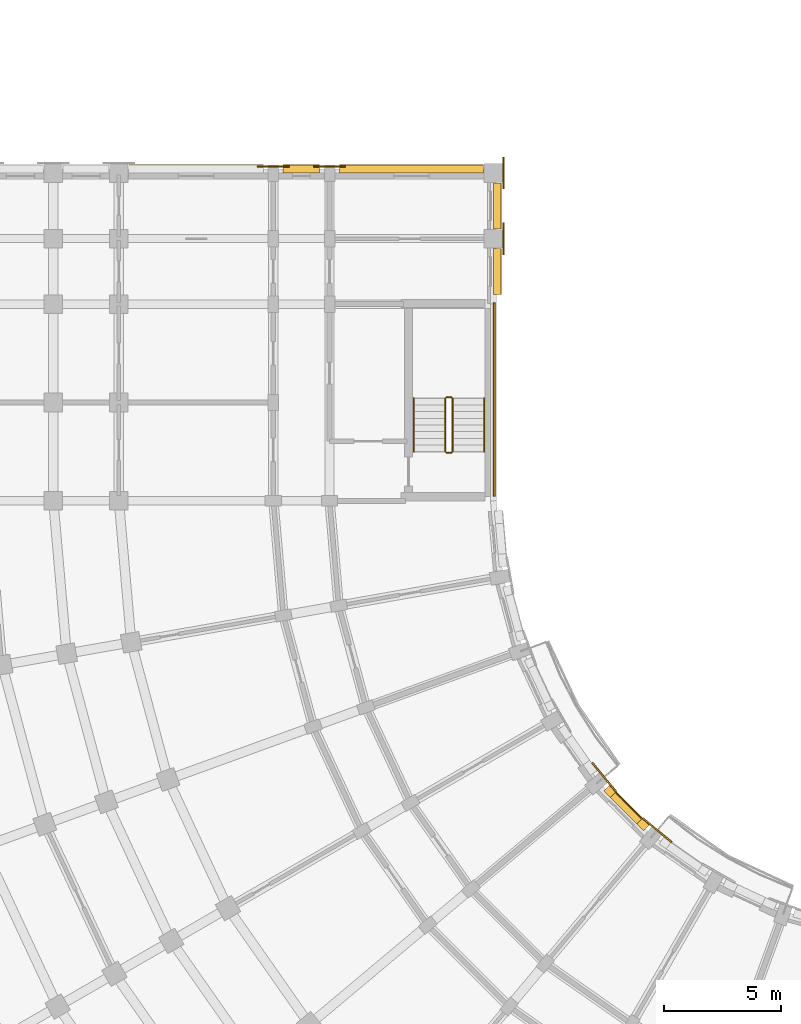
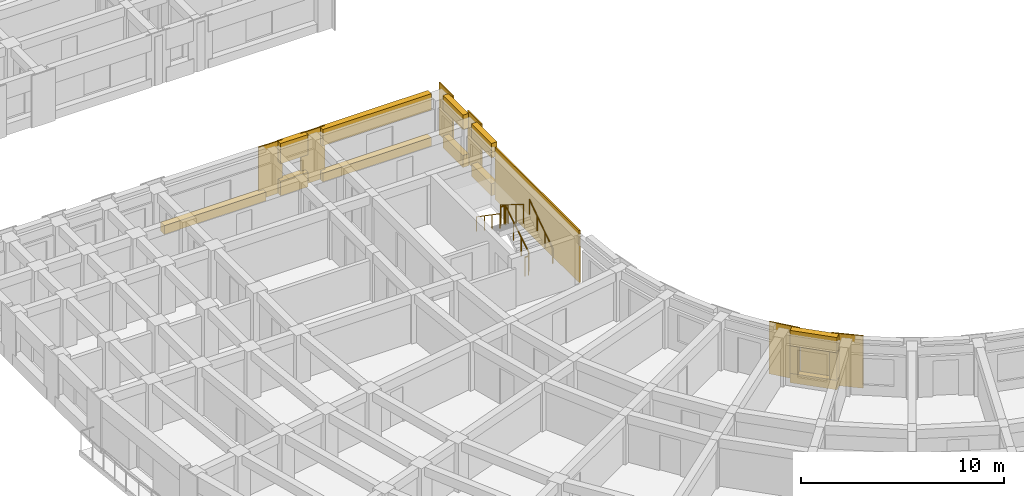
# One storey, part 42 of 54: 20 coverings, 6 railings, 1 shading device.
"""IFC4 building model written with IfcOpenShell, lengths in metres."""

import ifcopenshell
import ifcopenshell.guid

model = None  # the IFC model being written
_history = None  # IfcOwnerHistory: only IFC2X3 demands one
_inside = {}  # id of a spatial element -> (the spatial element, [elements in it])
_under = {}  # id of a project, library or spatial element -> (it, [spatial elements below it])
_declared = {}  # id of a project -> (the project, [libraries it declares])
_typed = {}  # id of a type object -> (the type object, [elements of that type])
_made_of = {}  # id of a material, layer set ... -> (it, [elements and type objects made of it])


def new_model(schema):
    """Start an empty IFC model of exactly this schema.

    Asked for "IFC4X3", IfcOpenShell would pick the latest addendum, in which some entities
    have other attributes; the version numbers below select the first issue.
    IFC2X3 requires an IfcOwnerHistory on every rooted entity: one is made here for all.
    """
    global model, _history
    if schema == "IFC4X3":
        model = ifcopenshell.file(schema_version=(4, 3, 0, 0))
    else:
        model = ifcopenshell.file(schema=schema)
    _inside.clear()
    _under.clear()
    _declared.clear()
    _typed.clear()
    _made_of.clear()
    _history = None
    if model.schema == "IFC2X3":
        org = make("IfcOrganization", Name="unknown")
        user = make(
            "IfcPersonAndOrganization",
            ThePerson=make("IfcPerson", FamilyName="unknown"),
            TheOrganization=org,
        )
        app = make(
            "IfcApplication",
            ApplicationDeveloper=org,
            Version="unknown",
            ApplicationFullName="unknown",
            ApplicationIdentifier="unknown",
        )
        _history = make(
            "IfcOwnerHistory",
            OwningUser=user,
            OwningApplication=app,
            ChangeAction="ADDED",
            CreationDate=0,
        )
    return model


def make(cls, **values):
    """One entity of the class cls with the attributes given. An attribute that is None is left unset."""
    return model.create_entity(
        cls, **{name: value for name, value in values.items() if value is not None}
    )


def rooted(cls, **values):
    """An entity with a GlobalId (a new one), such as an element, a storey or a relation."""
    return make(cls, GlobalId=ifcopenshell.guid.new(), OwnerHistory=_history, **values)


def si_unit(unit_type, name, prefix=None):
    """IfcSIUnit, for example si_unit("LENGTHUNIT", "METRE", prefix="MILLI")."""
    return make("IfcSIUnit", UnitType=unit_type, Prefix=prefix, Name=name)


def assignment(units):
    """IfcUnitAssignment: the units of a project."""
    return None if units is None else make("IfcUnitAssignment", Units=units)


def point(xyz):
    """IfcCartesianPoint."""
    return None if xyz is None else make("IfcCartesianPoint", Coordinates=xyz)


def direction(xyz):
    """IfcDirection."""
    return None if xyz is None else make("IfcDirection", DirectionRatios=xyz)


def frame(location, z_axis=None, x_axis=None):
    """IfcAxis2Placement3D, a coordinate frame: its origin and axes. An axis left out is left unset."""
    return make(
        "IfcAxis2Placement3D",
        Location=point(location),
        Axis=direction(z_axis),
        RefDirection=direction(x_axis),
    )


def frame_2d(location, x_axis=None):
    """IfcAxis2Placement2D, a coordinate frame in the plane: its origin and x axis."""
    return make(
        "IfcAxis2Placement2D", Location=point(location), RefDirection=direction(x_axis)
    )


def origin():
    """The frame at (0, 0, 0) with its axes left unset."""
    return frame((0.0, 0.0, 0.0))


def origin_2d():
    """The frame at (0, 0) in the plane with its x axis left unset."""
    return frame_2d((0.0, 0.0))


def place(relative_to, where):
    """IfcLocalPlacement: puts the frame where relative to a parent placement (None: the world)."""
    return make(
        "IfcLocalPlacement", PlacementRelTo=relative_to, RelativePlacement=where
    )


def context(
    kind, dimensions, precision=None, world=None, true_north=None, identifier=None
):
    """IfcGeometricRepresentationContext, for example the 3D "Model" context."""
    return make(
        "IfcGeometricRepresentationContext",
        ContextIdentifier=identifier,
        ContextType=kind,
        CoordinateSpaceDimension=dimensions,
        Precision=precision,
        WorldCoordinateSystem=world,
        TrueNorth=true_north,
    )


def subcontext(parent, identifier, kind, view, scale=None):
    """IfcGeometricRepresentationSubContext, for example "Body" below "Model"."""
    return make(
        "IfcGeometricRepresentationSubContext",
        ContextIdentifier=identifier,
        ContextType=kind,
        ParentContext=parent,
        TargetScale=scale,
        TargetView=view,
    )


def project(units=None, contexts=None):
    """IfcProject with its units and contexts."""
    return rooted(
        "IfcProject",
        Name="project",
        RepresentationContexts=contexts,
        UnitsInContext=assignment(units),
    )


def spatial(cls, under=None, at=None, **own):
    """A site, building, storey or space (cls), placed at a placement, below another one or the project."""
    s = rooted(cls, ObjectPlacement=at, **own)
    if under is not None:
        _under.setdefault(under.id(), (under, []))[1].append(s)
    return s


def polyline(points):
    """IfcPolyline through the points."""
    return make("IfcPolyline", Points=[point(p) for p in points])


def profile(cls, at=None, kind="AREA", **sizes):
    """A parametric profile (cls). Its sizes go by their IFC names, for example OverallWidth=200.0."""
    return make(cls, ProfileType=kind, Position=at, **sizes)


def rectangle(**sizes):
    """IfcRectangleProfileDef."""
    return profile("IfcRectangleProfileDef", **sizes)


def circle(**sizes):
    """IfcCircleProfileDef."""
    return profile("IfcCircleProfileDef", **sizes)


def outline(outer, holes=None, kind="AREA"):
    """IfcArbitraryClosedProfileDef: a profile drawn as a closed curve; with holes, ...WithVoids."""
    if holes is None:
        return make("IfcArbitraryClosedProfileDef", ProfileType=kind, OuterCurve=outer)
    return make(
        "IfcArbitraryProfileDefWithVoids",
        ProfileType=kind,
        OuterCurve=outer,
        InnerCurves=holes,
    )


def extrude(swept, where, along, depth):
    """IfcExtrudedAreaSolid: the profile swept, set in the frame where, extruded along a direction by depth."""
    return make(
        "IfcExtrudedAreaSolid",
        SweptArea=swept,
        Position=where,
        ExtrudedDirection=direction(along),
        Depth=depth,
    )


def shape(context_of_items, identifier, shape_type, items):
    """IfcShapeRepresentation: the items that make up one representation, for example the "Body"."""
    return make(
        "IfcShapeRepresentation",
        ContextOfItems=context_of_items,
        RepresentationIdentifier=identifier,
        RepresentationType=shape_type,
        Items=items,
    )


def material(Name=None, Category=None):
    """IfcMaterial."""
    return make("IfcMaterial", Name=Name, Category=Category)


def layer(
    of_material, thickness, ventilated=None, Name=None, Category=None, Priority=None
):
    """IfcMaterialLayer: one layer of a wall or slab, of a material (None: an air gap)."""
    return make(
        "IfcMaterialLayer",
        Material=of_material,
        LayerThickness=thickness,
        IsVentilated=ventilated,
        Name=Name,
        Category=Category,
        Priority=Priority,
    )


def layer_set(layers, Name=None):
    """IfcMaterialLayerSet."""
    return make("IfcMaterialLayerSet", MaterialLayers=layers, LayerSetName=Name)


def made_of(thing, what):
    """Note that an element or type object is made of a material, layer set ...; save() writes the relation."""
    if what is not None:
        _made_of.setdefault(what.id(), (what, []))[1].append(thing)
    return thing


def type_object(cls, material=None, **own):
    """A type object (cls), such as IfcWallType, which elements share."""
    return made_of(rooted(cls, **own), material)


def element(
    cls,
    number,
    at=None,
    inside=None,
    cuts=None,
    type_object=None,
    material=None,
    context=None,
    identifier="Body",
    shape_type=None,
    held_by="IfcProductDefinitionShape",
    body=None,
    shapes=None,
    **own,
):
    """One element of the class cls, such as IfcWall. Its Tag is "e" and its number.

    at: its placement. inside: the storey or other place that contains it. cuts: it is an
    opening in that element (IfcRelVoidsElement). A single representation is given by context,
    identifier, shape_type and body (its items); several are given by shapes. held_by: the class
    of the entity that holds the representations. save() writes the other relations.
    """
    e = rooted(cls, Tag="e%d" % number, ObjectPlacement=at, **own)
    if body is not None:
        shapes = [shape(context, identifier, shape_type, body)]
    if shapes is not None:
        e.Representation = make(held_by, Representations=shapes)
    if inside is not None:
        _inside.setdefault(inside.id(), (inside, []))[1].append(e)
    if cuts is not None:
        rooted(
            "IfcRelVoidsElement", RelatingBuildingElement=cuts, RelatedOpeningElement=e
        )
    if type_object is not None:
        _typed.setdefault(type_object.id(), (type_object, []))[1].append(e)
    return made_of(e, material)


def aggregate(whole, parts):
    """IfcRelAggregates: a whole, such as a stair, and the parts it consists of."""
    return rooted("IfcRelAggregates", RelatingObject=whole, RelatedObjects=parts)


def save(model, path):
    """Write the relations noted so far, then the file.

    IfcRelAggregates (storeys below a building ...), IfcRelContainedInSpatialStructure (elements
    in a storey), IfcRelDefinesByType, IfcRelAssociatesMaterial and IfcRelDeclares: one each for
    every whole, place, type object, material and project.
    """
    for whole, parts in _under.values():
        aggregate(whole, parts)
    for where, things in _inside.values():
        rooted(
            "IfcRelContainedInSpatialStructure",
            RelatedElements=things,
            RelatingStructure=where,
        )
    for kind, things in _typed.values():
        rooted("IfcRelDefinesByType", RelatedObjects=things, RelatingType=kind)
    for what, things in _made_of.values():
        rooted("IfcRelAssociatesMaterial", RelatedObjects=things, RelatingMaterial=what)
    for by, libraries in _declared.values():
        rooted("IfcRelDeclares", RelatingContext=by, RelatedDefinitions=libraries)
    model.write(path)


model = new_model("IFC4")

# Units and contexts
model_context = context("Model", 3, precision=1e-05, world=origin(), true_north=direction((0.0, 1.0)))
body_context = subcontext(model_context, "Body", "Model", "MODEL_VIEW")
ifc_project = project(units=[si_unit("LENGTHUNIT", "METRE"), si_unit("AREAUNIT", "SQUARE_METRE"), si_unit("VOLUMEUNIT", "CUBIC_METRE"), si_unit("PLANEANGLEUNIT", "RADIAN"), si_unit("MASSUNIT", "GRAM", prefix="KILO")], contexts=[model_context])

# Site, building, storey
site_placement = place(None, origin())
site = spatial("IfcSite", under=ifc_project, at=site_placement, CompositionType="ELEMENT")
building_placement = place(site_placement, origin())
building = spatial("IfcBuilding", under=site, at=building_placement, Name="Kiranvali Square Residences", CompositionType="ELEMENT")
storey_placement = place(building_placement, frame((0.0, 0.0, 11.85009765625)))
storey = spatial("IfcBuildingStorey", under=building, at=storey_placement, Name="L03", CompositionType="ELEMENT", Elevation=11.85009765625)

# Coverings
ifc_material_1 = material(Name="Honed Porbandar limestone ashlar facade cladding", Category="masonry")
ifc_layer_1 = layer(ifc_material_1, 0.3798828125)
ifc_layer_set_1 = layer_set([ifc_layer_1], Name="Honed Porbandar limestone ashlar facade cladding")
covering_type_1 = type_object("IfcCoveringType", Name="COV-CLAD-JAMB", PredefinedType="CLADDING", material=ifc_layer_set_1)
covering_1_placement = place(storey_placement, frame((0.0, 0.0, 0.572021484375)))
element("IfcCovering", 1, at=covering_1_placement, inside=storey, type_object=covering_type_1, Name="L03 deep limestone window jamb reveal C-L03-GDN-04.L", PredefinedType="CLADDING", context=body_context, shape_type="SweptSolid", body=[
    extrude(outline(polyline([(36.044921875, 34.349853515625), (35.76318359375, 34.631591796875), (35.52294921875, 34.3916015625), (35.804931640625, 34.10986328125), (36.044921875, 34.349853515625)])), origin(), (0.0, 0.0, 1.0), 1.64990234375),
])
covering_2_placement = place(storey_placement, frame((0.0, 0.0, 0.572021484375)))
element("IfcCovering", 2, at=covering_2_placement, inside=storey, type_object=covering_type_1, Name="L03 deep limestone window jamb reveal C-L03-GDN-04.R", PredefinedType="CLADDING", context=body_context, shape_type="SweptSolid", body=[
    extrude(outline(polyline([(34.631591796875, 35.76318359375), (34.349853515625, 36.044921875), (34.10986328125, 35.804931640625), (34.3916015625, 35.52294921875), (34.631591796875, 35.76318359375)])), origin(), (0.0, 0.0, 1.0), 1.64990234375),
])
ifc_layer_2 = layer(ifc_material_1, 0.06494140625)
ifc_layer_set_2 = layer_set([ifc_layer_2], Name="Honed Porbandar limestone ashlar facade cladding")
covering_type_2 = type_object("IfcCoveringType", Name="COV-CLAD-PIER", PredefinedType="CLADDING", material=ifc_layer_set_2)
covering_3_placement = place(storey_placement, frame((0.0, 0.0, 0.0048828125)))
element("IfcCovering", 3, at=covering_3_placement, inside=storey, type_object=covering_type_2, Name="Block C L03 Arm 2 stair limestone ashlar cladding", PredefinedType="CLADDING", context=body_context, shape_type="SweptSolid", body=[
    extrude(outline(polyline([(29.47998046875, 48.39990234375), (29.47998046875, 56.64990234375), (29.402099609375, 56.64990234375), (29.402099609375, 48.39990234375), (29.47998046875, 48.39990234375)])), origin(), (0.0, 0.0, 1.0), 3.14013671875),
])
ifc_layer_3 = layer(ifc_material_1, 0.050048828125)
ifc_layer_set_3 = layer_set([ifc_layer_3], Name="Honed Porbandar limestone ashlar facade cladding")
covering_type_3 = type_object("IfcCoveringType", Name="COV-CLAD-PIER-IN", PredefinedType="CLADDING", material=ifc_layer_set_3)
covering_4_placement = place(storey_placement, frame((0.0, 0.0, 0.0048828125)))
element("IfcCovering", 4, at=covering_4_placement, inside=storey, type_object=covering_type_3, Name="L03 Classical garden courtyard pilaster CLAD-PRIN-C-L03-A04", PredefinedType="CLADDING", context=body_context, shape_type="SweptSolid", body=[
    extrude(outline(polyline([(37.029296875, 33.642578125), (35.803466796875, 34.671142578125), (35.76025390625, 34.619384765625), (36.98583984375, 33.5908203125), (37.029296875, 33.642578125)])), origin(), (0.0, 0.0, 1.0), 3.14013671875),
])
covering_5_placement = place(storey_placement, frame((0.0, 0.0, 0.0048828125)))
element("IfcCovering", 5, at=covering_5_placement, inside=storey, type_object=covering_type_3, Name="L03 Classical garden courtyard pilaster CLAD-PRIN-C-L03-A05", PredefinedType="CLADDING", context=body_context, shape_type="SweptSolid", body=[
    extrude(outline(polyline([(34.671142578125, 35.803466796875), (33.642578125, 37.029296875), (33.5908203125, 36.98583984375), (34.619384765625, 35.76025390625), (34.671142578125, 35.803466796875)])), origin(), (0.0, 0.0, 1.0), 3.14013671875),
])
covering_6_placement = place(storey_placement, frame((0.0, 0.0, 0.0048828125)))
element("IfcCovering", 6, at=covering_6_placement, inside=storey, type_object=covering_type_3, Name="L03 Classical limestone pilaster casing CLAD-PRA2I-C-L03-V112", PredefinedType="CLADDING", context=body_context, shape_type="SweptSolid", body=[
    extrude(outline(polyline([(29.867919921875, 58.719970703125), (29.867919921875, 60.080078125), (29.800537109375, 60.080078125), (29.800537109375, 58.719970703125), (29.867919921875, 58.719970703125)])), origin(), (0.0, 0.0, 1.0), 3.14013671875),
])
covering_7_placement = place(storey_placement, frame((0.0, 0.0, 0.0048828125)))
element("IfcCovering", 7, at=covering_7_placement, inside=storey, type_object=covering_type_3, Name="L03 Classical limestone pilaster casing CLAD-PRA2I-C-L03-V140", PredefinedType="CLADDING", context=body_context, shape_type="SweptSolid", body=[
    extrude(outline(polyline([(29.867919921875, 61.52001953125), (29.867919921875, 62.8798828125), (29.800537109375, 62.8798828125), (29.800537109375, 61.52001953125), (29.867919921875, 61.52001953125)])), origin(), (0.0, 0.0, 1.0), 3.14013671875),
])
ifc_layer_4 = layer(ifc_material_1, 0.054931640625)
ifc_layer_set_4 = layer_set([ifc_layer_4], Name="Honed Porbandar limestone ashlar facade cladding")
covering_type_4 = type_object("IfcCoveringType", Name="COV-CLAD-PIER-UP", PredefinedType="CLADDING", material=ifc_layer_set_4)
covering_8_placement = place(storey_placement, frame((0.0, 0.0, 0.0048828125)))
element("IfcCovering", 8, at=covering_8_placement, inside=storey, type_object=covering_type_4, Name="L03 Classical limestone pilaster casing CLAD-PRA2E-C-L03-R258", PredefinedType="CLADDING", context=body_context, shape_type="SweptSolid", body=[
    extrude(outline(polyline([(23.080078125, 62.51806640625), (21.719970703125, 62.51806640625), (21.719970703125, 62.450439453125), (23.080078125, 62.450439453125), (23.080078125, 62.51806640625)])), origin(), (0.0, 0.0, 1.0), 3.14013671875),
])
covering_9_placement = place(storey_placement, frame((0.0, 0.0, 0.0048828125)))
element("IfcCovering", 9, at=covering_9_placement, inside=storey, type_object=covering_type_4, Name="L03 Classical limestone pilaster casing CLAD-PRA2E-C-L03-R282", PredefinedType="CLADDING", context=body_context, shape_type="SweptSolid", body=[
    extrude(outline(polyline([(20.679931640625, 62.51806640625), (19.320068359375, 62.51806640625), (19.320068359375, 62.450439453125), (20.679931640625, 62.450439453125), (20.679931640625, 62.51806640625)])), origin(), (0.0, 0.0, 1.0), 3.14013671875),
])
ifc_layer_5 = layer(ifc_material_1, 0.360107421875)
ifc_layer_set_5 = layer_set([ifc_layer_5], Name="Honed Porbandar limestone ashlar facade cladding")
covering_type_5 = type_object("IfcCoveringType", Name="COV-CLAD-WALL", PredefinedType="CLADDING", material=ifc_layer_set_5)
covering_10_placement = place(storey_placement, frame((0.0, 0.0, 2.221923828125)))
element("IfcCovering", 10, at=covering_10_placement, inside=storey, type_object=covering_type_5, Name="L03 light limestone spandrel lintel C-L03-GDN-04", PredefinedType="CLADDING", context=body_context, shape_type="SweptSolid", body=[
    extrude(outline(polyline([(36.044921875, 34.349853515625), (34.349853515625, 36.044921875), (34.10986328125, 35.804931640625), (35.804931640625, 34.10986328125), (36.044921875, 34.349853515625)])), origin(), (0.0, 0.0, 1.0), 0.923095703125),
])
covering_11_placement = place(storey_placement, frame((0.0, 0.0, 2.27197265625)))
element("IfcCovering", 11, at=covering_11_placement, inside=storey, type_object=covering_type_5, Name="L03 light limestone spandrel lintel C-L03-A2I-0", PredefinedType="CLADDING", context=body_context, shape_type="SweptSolid", body=[
    extrude(outline(polyline([(29.719970703125, 57.02001953125), (29.719970703125, 58.97998046875), (29.400390625, 58.97998046875), (29.400390625, 57.02001953125), (29.719970703125, 57.02001953125)])), origin(), (0.0, 0.0, 1.0), 0.873046875),
])
covering_12_placement = place(storey_placement, frame((0.0, 0.0, 0.0048828125)))
element("IfcCovering", 12, at=covering_12_placement, inside=storey, type_object=covering_type_5, Name="L03 limestone window sill apron C-L03-A2I-0", PredefinedType="CLADDING", context=body_context, shape_type="SweptSolid", body=[
    extrude(outline(polyline([(29.75, 57.02001953125), (29.75, 58.97998046875), (29.400390625, 58.97998046875), (29.400390625, 57.02001953125), (29.75, 57.02001953125)])), origin(), (0.0, 0.0, 1.0), 0.717041015625),
])
covering_13_placement = place(storey_placement, frame((0.0, 0.0, 2.27197265625)))
element("IfcCovering", 13, at=covering_13_placement, inside=storey, type_object=covering_type_5, Name="L03 light limestone spandrel lintel C-L03-A2I-1", PredefinedType="CLADDING", context=body_context, shape_type="SweptSolid", body=[
    extrude(outline(polyline([(29.719970703125, 59.820068359375), (29.719970703125, 61.780029296875), (29.400390625, 61.780029296875), (29.400390625, 59.820068359375), (29.719970703125, 59.820068359375)])), origin(), (0.0, 0.0, 1.0), 0.873046875),
])
covering_14_placement = place(storey_placement, frame((0.0, 0.0, 0.0048828125)))
element("IfcCovering", 14, at=covering_14_placement, inside=storey, type_object=covering_type_5, Name="L03 limestone window sill apron C-L03-A2I-1", PredefinedType="CLADDING", context=body_context, shape_type="SweptSolid", body=[
    extrude(outline(polyline([(29.75, 59.820068359375), (29.75, 61.780029296875), (29.400390625, 61.780029296875), (29.400390625, 59.820068359375), (29.75, 59.820068359375)])), origin(), (0.0, 0.0, 1.0), 0.717041015625),
])
covering_15_placement = place(storey_placement, frame((0.0, 0.0, 2.171875)))
element("IfcCovering", 15, at=covering_15_placement, inside=storey, type_object=covering_type_5, Name="L03 light limestone spandrel lintel C-L03-A2END-0", PredefinedType="CLADDING", context=body_context, shape_type="SweptSolid", body=[
    extrude(outline(polyline([(28.97998046875, 62.5400390625), (22.820068359375, 62.5400390625), (22.820068359375, 62.200439453125), (28.97998046875, 62.200439453125), (28.97998046875, 62.5400390625)])), origin(), (0.0, 0.0, 1.0), 0.97314453125),
])
covering_16_placement = place(storey_placement, frame((0.0, 0.0, 0.0048828125)))
element("IfcCovering", 16, at=covering_16_placement, inside=storey, type_object=covering_type_5, Name="L03 limestone window sill apron C-L03-A2END-0", PredefinedType="CLADDING", context=body_context, shape_type="SweptSolid", body=[
    extrude(outline(polyline([(28.97998046875, 62.570068359375), (22.820068359375, 62.570068359375), (22.820068359375, 62.200439453125), (28.97998046875, 62.200439453125), (28.97998046875, 62.570068359375)])), origin(), (0.0, 0.0, 1.0), 0.51708984375),
])
covering_17_placement = place(storey_placement, frame((0.0, 0.0, 1.929931640625)))
element("IfcCovering", 17, at=covering_17_placement, inside=storey, type_object=covering_type_5, Name="L03 light limestone spandrel lintel C-L03-A2END-1", PredefinedType="CLADDING", context=body_context, shape_type="SweptSolid", body=[
    extrude(outline(polyline([(21.97998046875, 62.5400390625), (20.419921875, 62.5400390625), (20.419921875, 62.200439453125), (21.97998046875, 62.200439453125), (21.97998046875, 62.5400390625)])), origin(), (0.0, 0.0, 1.0), 1.215087890625),
])
covering_18_placement = place(storey_placement, frame((0.0, 0.0, 0.0048828125)))
element("IfcCovering", 18, at=covering_18_placement, inside=storey, type_object=covering_type_5, Name="L03 limestone window sill apron C-L03-A2END-1", PredefinedType="CLADDING", context=body_context, shape_type="SweptSolid", body=[
    extrude(outline(polyline([(21.97998046875, 62.570068359375), (20.419921875, 62.570068359375), (20.419921875, 62.200439453125), (21.97998046875, 62.200439453125), (21.97998046875, 62.570068359375)])), origin(), (0.0, 0.0, 1.0), 0.875),
])
covering_19_placement = place(storey_placement, frame((0.0, 0.0, 0.0048828125)))
element("IfcCovering", 19, at=covering_19_placement, inside=storey, type_object=covering_type_5, Name="L03 limestone window sill apron C-L03-A2END-2", PredefinedType="CLADDING", context=body_context, shape_type="SweptSolid", body=[
    extrude(outline(polyline([(19.580078125, 62.570068359375), (13.820068359375, 62.570068359375), (13.820068359375, 62.200439453125), (19.580078125, 62.200439453125), (19.580078125, 62.570068359375)])), origin(), (0.0, 0.0, 1.0), 0.51708984375),
])
ifc_layer_6 = layer(ifc_material_1, 0.2900390625)
ifc_layer_set_6 = layer_set([ifc_layer_6], Name="Honed Porbandar limestone ashlar facade cladding")
covering_type_6 = type_object("IfcCoveringType", Name="COV-CLAD-WALL-IN", PredefinedType="CLADDING", material=ifc_layer_set_6)
covering_20_placement = place(storey_placement, frame((0.0, 0.0, 0.0048828125)))
element("IfcCovering", 20, at=covering_20_placement, inside=storey, type_object=covering_type_6, Name="L03 limestone window sill apron C-L03-GDN-04", PredefinedType="CLADDING", context=body_context, shape_type="SweptSolid", body=[
    extrude(outline(polyline([(36.066162109375, 34.37109375), (34.37109375, 36.066162109375), (34.10986328125, 35.804931640625), (35.804931640625, 34.10986328125), (36.066162109375, 34.37109375)])), origin(), (0.0, 0.0, 1.0), 0.567138671875),
])

# Railings
ifc_material_2 = material(Name="Brushed stainless steel tubular handrail", Category="steel")
railing_type_1 = type_object("IfcRailingType", Name="RL-HANDRAIL-900", PredefinedType="HANDRAIL", material=ifc_material_2)
railing_1_placement = place(storey_placement, frame((29.0, 50.300048828125, 0.1748046875)))
element("IfcRailing", 21, at=railing_1_placement, inside=storey, type_object=railing_type_1, Name="L03 ST-C3 stair handrail 1", PredefinedType="HANDRAIL", context=body_context, shape_type="SweptSolid", body=[
    extrude(circle(Radius=0.02392578125, at=origin_2d()), frame((0.0, 0.0, 0.8759765625), z_axis=(0.0, 0.82274681792, 0.568408016835), x_axis=(-1.0, 0.0, 0.0)), (0.0, 0.0, 1.0), 2.771240234375),
    extrude(circle(Radius=0.02099609375, at=origin_2d()), origin(), (0.0, 0.0, 1.0), 0.851806640625),
    extrude(circle(Radius=0.02099609375, at=origin_2d()), frame((0.0, 0.760009765625, 0.525146484375)), (0.0, 0.0, 1.0), 0.851806640625),
    extrude(circle(Radius=0.02099609375, at=origin_2d()), frame((0.0, 1.52001953125, 1.050048828125)), (0.0, 0.0, 1.0), 0.851806640625),
    extrude(circle(Radius=0.02099609375, at=origin_2d()), frame((0.0, 2.280029296875, 1.5751953125)), (0.0, 0.0, 1.0), 0.851806640625),
])
railing_2_placement = place(storey_placement, frame((26.0, 52.580078125, 1.75)))
element("IfcRailing", 22, at=railing_2_placement, inside=storey, type_object=railing_type_1, Name="L03 ST-C3 stair handrail 2", PredefinedType="HANDRAIL", context=body_context, shape_type="SweptSolid", body=[
    extrude(circle(Radius=0.02392578125, at=origin_2d()), frame((0.0, 0.0, 0.8759765625), z_axis=(0.0, -0.82278801735, 0.568348377763), x_axis=(1.0, 0.0, 0.0)), (0.0, 0.0, 1.0), 2.77099609375),
    extrude(circle(Radius=0.02099609375, at=origin_2d()), origin(), (0.0, 0.0, 1.0), 0.851806640625),
    extrude(circle(Radius=0.02099609375, at=origin_2d()), frame((0.0, -0.760009765625, 0.52490234375)), (0.0, 0.0, 1.0), 0.851806640625),
    extrude(circle(Radius=0.02099609375, at=origin_2d()), frame((0.0, -1.52001953125, 1.050048828125)), (0.0, 0.0, 1.0), 0.851806640625),
    extrude(circle(Radius=0.02099609375, at=origin_2d()), frame((0.0, -2.280029296875, 1.574951171875)), (0.0, 0.0, 1.0), 0.851806640625),
])
ifc_material_3 = material(Name="Powder-coated architectural bronze balustrade", Category="steel")
railing_type_2 = type_object("IfcRailingType", Name="RL-ST-GUARD-1200", PredefinedType="GUARDRAIL", material=ifc_material_3)
railing_3_placement = place(storey_placement, frame((27.64990234375, 50.300048828125, 0.1748046875)))
element("IfcRailing", 23, at=railing_3_placement, inside=storey, type_object=railing_type_2, Name="L03 ST-C3 stair guard 1", PredefinedType="GUARDRAIL", context=body_context, shape_type="SweptSolid", body=[
    extrude(circle(Radius=0.02392578125, at=origin_2d()), frame((0.0, 0.0, 1.1259765625), z_axis=(0.0, 0.852149810458, 0.523297908018), x_axis=(-1.0, 0.0, 0.0)), (0.0, 0.0, 1.0), 2.675537109375),
    extrude(circle(Radius=0.02099609375, at=origin_2d()), origin(), (0.0, 0.0, 1.0), 1.101806640625),
    extrude(circle(Radius=0.02099609375, at=origin_2d()), frame((0.0, 0.760009765625, 0.466796875)), (0.0, 0.0, 1.0), 1.101806640625),
    extrude(circle(Radius=0.02099609375, at=origin_2d()), frame((0.0, 1.52001953125, 0.933349609375)), (0.0, 0.0, 1.0), 1.101806640625),
    extrude(circle(Radius=0.02099609375, at=origin_2d()), frame((0.0, 2.280029296875, 1.400146484375)), (0.0, 0.0, 1.0), 1.101806640625),
])
railing_4_placement = place(storey_placement, frame((27.60009765625, 52.6298828125, 1.574951171875)))
element("IfcRailing", 24, at=railing_4_placement, inside=storey, type_object=railing_type_2, Name="L03 ST-C3 stair guard 2", PredefinedType="GUARDRAIL", context=body_context, shape_type="SweptSolid", body=[
    extrude(circle(Radius=0.02392578125, at=origin_2d()), frame((0.0, 0.0, 1.1259765625), z_axis=(-1.0, 0.0, 0.0), x_axis=(0.0, -1.0, 0.0)), (0.0, 0.0, 1.0), 0.2001953125),
    extrude(circle(Radius=0.02099609375, at=origin_2d()), origin(), (0.0, 0.0, 1.0), 1.101806640625),
    extrude(circle(Radius=0.02099609375, at=origin_2d()), frame((-0.2001953125, 0.0, 0.0)), (0.0, 0.0, 1.0), 1.101806640625),
])
railing_5_placement = place(storey_placement, frame((27.35009765625, 52.580078125, 1.75)))
element("IfcRailing", 25, at=railing_5_placement, inside=storey, type_object=railing_type_2, Name="L03 ST-C3 stair guard 3", PredefinedType="GUARDRAIL", context=body_context, shape_type="SweptSolid", body=[
    extrude(circle(Radius=0.02392578125, at=origin_2d()), frame((0.0, 0.0, 1.1259765625), z_axis=(0.0, -0.852190499154, 0.523231643875), x_axis=(1.0, 0.0, 0.0)), (0.0, 0.0, 1.0), 2.675537109375),
    extrude(circle(Radius=0.02099609375, at=origin_2d()), origin(), (0.0, 0.0, 1.0), 1.101806640625),
    extrude(circle(Radius=0.02099609375, at=origin_2d()), frame((0.0, -0.760009765625, 0.466552734375)), (0.0, 0.0, 1.0), 1.101806640625),
    extrude(circle(Radius=0.02099609375, at=origin_2d()), frame((0.0, -1.52001953125, 0.933349609375)), (0.0, 0.0, 1.0), 1.101806640625),
    extrude(circle(Radius=0.02099609375, at=origin_2d()), frame((0.0, -2.280029296875, 1.39990234375)), (0.0, 0.0, 1.0), 1.101806640625),
])
railing_6_placement = place(storey_placement, frame((27.60009765625, 50.25, 0.0)))
element("IfcRailing", 26, at=railing_6_placement, inside=storey, type_object=railing_type_2, Name="L03 ST-C3 stair guard 4", PredefinedType="GUARDRAIL", context=body_context, shape_type="SweptSolid", body=[
    extrude(circle(Radius=0.02392578125, at=origin_2d()), frame((0.0, 0.0, 1.1259765625), z_axis=(-1.0, 0.0, 0.0), x_axis=(0.0, -1.0, 0.0)), (0.0, 0.0, 1.0), 0.2001953125),
    extrude(circle(Radius=0.02099609375, at=origin_2d()), origin(), (0.0, 0.0, 1.0), 1.101806640625),
    extrude(circle(Radius=0.02099609375, at=origin_2d()), frame((-0.2001953125, 0.0, 0.0)), (0.0, 0.0, 1.0), 1.101806640625),
])

# Shading device
ifc_material_4 = material(Name="Pierced buff sandstone architectural mashrabiya solar screen", Category="masonry")
shading_device_type = type_object("IfcShadingDeviceType", Name="SHD-JALI-1600", PredefinedType="JALOUSIE", material=ifc_material_4)
shading_device_placement = place(storey_placement, frame((35.183349609375, 35.183349609375, 0.572021484375), z_axis=(0.0, 0.0, 1.0), x_axis=(-0.707106781187, 0.707106781187, 0.0)))
element("IfcShadingDevice", 27, at=shading_device_placement, inside=storey, type_object=shading_device_type, Name="L03 carved stone Mashrabiya screen C-L03-GDN-04", PredefinedType="JALOUSIE", context=body_context, shape_type="SweptSolid", body=[
    extrude(rectangle(XDim=1.5, YDim=0.044921875, at=origin_2d()), origin(), (0.0, 0.0, 1.0), 1.64990234375),
])

save(model, "model.ifc")
